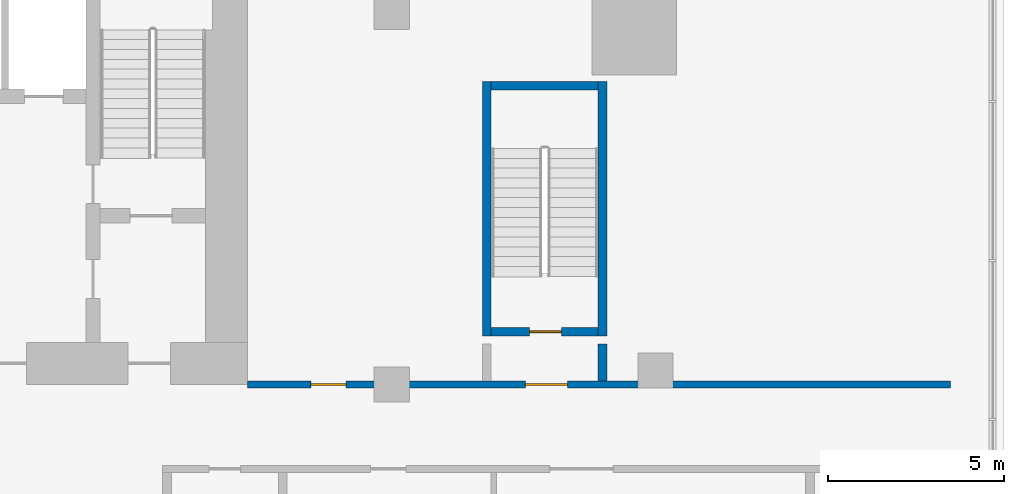
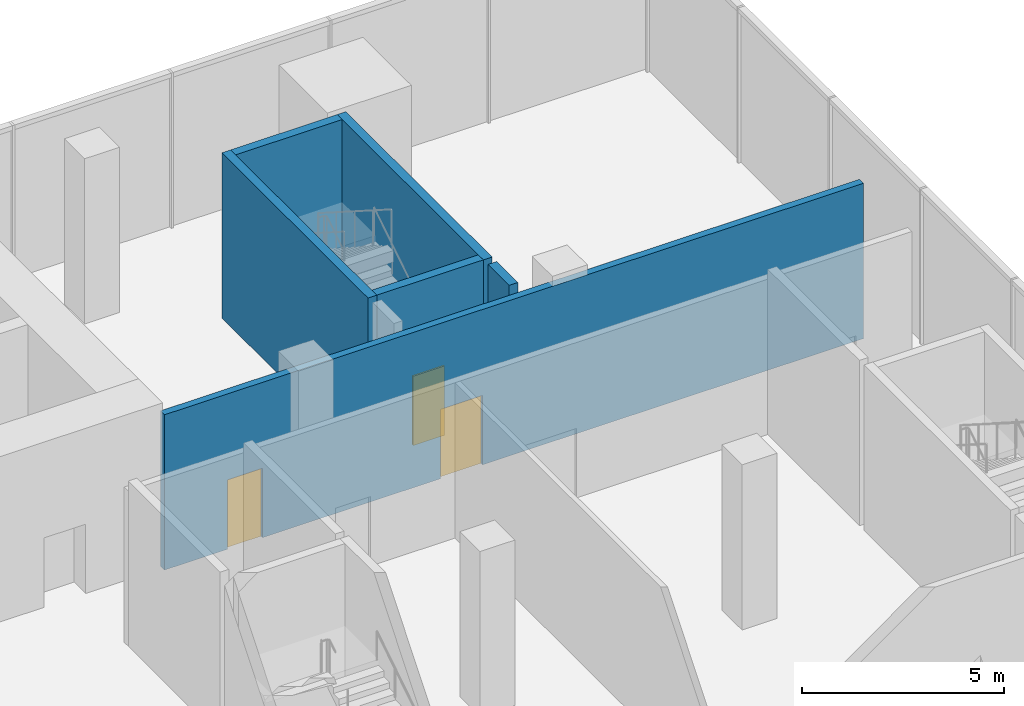
# One storey, part 17 of 22: 6 walls, 3 doors, 3 openings.
"""IFC4 building model written with IfcOpenShell, lengths in metres."""

from ifc_helpers import new_model, si_unit, direction, frame, frame_2d, origin, place, context, subcontext, project, spatial, rectangle, extrude, material, layer, layer_set, type_object, element, fill, save


model = new_model("IFC4")

# Units and contexts
model_context = context("Model", 3, precision=1e-05, world=origin(), true_north=direction((0.0, 1.0)))
body_context = subcontext(model_context, "Body", "Model", "MODEL_VIEW")
ifc_project = project(units=[si_unit("LENGTHUNIT", "METRE"), si_unit("AREAUNIT", "SQUARE_METRE"), si_unit("VOLUMEUNIT", "CUBIC_METRE"), si_unit("PLANEANGLEUNIT", "RADIAN"), si_unit("MASSUNIT", "GRAM", prefix="KILO")], contexts=[model_context])

# Site, building, storey
site_placement = place(None, origin())
site = spatial("IfcSite", under=ifc_project, at=site_placement, CompositionType="ELEMENT")
building_placement = place(site_placement, origin())
building = spatial("IfcBuilding", under=site, at=building_placement, Name="Bicima Exchange Tower", CompositionType="ELEMENT")
storey_placement = place(building_placement, frame((0.0, 0.0, 20.0)))
storey = spatial("IfcBuildingStorey", under=building, at=storey_placement, Name="L03", CompositionType="ELEMENT", Elevation=20.0)

# Wall, openings, doors
ifc_material_1 = material(Name="Gypsum board partition")
ifc_layer_1 = layer(ifc_material_1, 0.199951171875)
ifc_layer_set_1 = layer_set([ifc_layer_1], Name="Gypsum board partition")
wall_type_1 = type_object("IfcWallType", Name="Fire-rated gypsum partition 200 EI60", PredefinedType="PARTITIONING", material=ifc_layer_set_1)
wall_1_placement = place(storey_placement, frame((22.0, -13.0, 0.0), z_axis=(0.0, 0.0, 1.0), x_axis=(1.0, 0.0, 0.0)))
wall_1 = element("IfcWall", 1, at=wall_1_placement, inside=storey, type_object=wall_type_1, Name="partition wall 24", PredefinedType="PARTITIONING", context=body_context, shape_type="SweptSolid", body=[
    extrude(rectangle(XDim=20.0, YDim=0.199951171875, at=frame_2d((10.0, 0.0))), origin(), (0.0, 0.0, 1.0), 4.699951171875),
])
opening_1_placement = place(wall_1_placement, frame((7.89990234375, 0.0, 0.0)))
opening_1 = element("IfcOpeningElement", 2, at=opening_1_placement, cuts=wall_1, Name="Opening L03-011", PredefinedType="OPENING", context=body_context, shape_type="SweptSolid", body=[
    extrude(rectangle(XDim=1.199951171875, YDim=2.10009765625, at=frame_2d((0.60009765625, 1.050048828125))), frame((0.0, 0.11181640625, 0.0), z_axis=(0.0, -1.0, 0.0), x_axis=(1.0, 0.0, 0.0)), (0.0, 0.0, 1.0), 0.223876953125),
])
opening_2_placement = place(wall_1_placement, frame((1.800048828125, 0.0, 0.0)))
opening_2 = element("IfcOpeningElement", 3, at=opening_2_placement, cuts=wall_1, Name="Opening L03-014", PredefinedType="OPENING", context=body_context, shape_type="SweptSolid", body=[
    extrude(rectangle(XDim=1.0, YDim=2.10009765625, at=frame_2d((0.5, 1.050048828125))), frame((0.0, 0.11181640625, 0.0), z_axis=(0.0, -1.0, 0.0), x_axis=(1.0, 0.0, 0.0)), (0.0, 0.0, 1.0), 0.223876953125),
])
ifc_material_2 = material(Name="Steel fire door leaf", Category="steel")
door_type_1 = type_object("IfcDoorType", Name="Door 1000 swing FD30S", OperationType="SINGLE_SWING_LEFT", PredefinedType="DOOR", material=ifc_material_2)
door_1_placement = place(opening_2_placement, origin())
door_1 = element("IfcDoor", 4, at=door_1_placement, inside=storey, type_object=door_type_1, Name="Door", OperationType="SINGLE_SWING_LEFT", OverallHeight=2.10009765625, OverallWidth=1.0, PredefinedType="DOOR", context=body_context, shape_type="SweptSolid", body=[
    extrude(rectangle(XDim=1.0, YDim=2.10009765625, at=frame_2d((0.5, 1.050048828125))), frame((0.0, 0.02490234375, 0.0), z_axis=(0.0, -1.0, 0.0), x_axis=(1.0, 0.0, 0.0)), (0.0, 0.0, 1.0), 0.050048828125),
])
fill(opening_2, door_1)
door_type_2 = type_object("IfcDoorType", Name="Door 1200 swing FD30S", OperationType="SINGLE_SWING_LEFT", PredefinedType="DOOR", material=ifc_material_2)
door_2_placement = place(opening_1_placement, origin())
door_2 = element("IfcDoor", 5, at=door_2_placement, inside=storey, type_object=door_type_2, Name="Door", OperationType="SINGLE_SWING_LEFT", OverallHeight=2.10009765625, OverallWidth=1.199951171875, PredefinedType="DOOR", context=body_context, shape_type="SweptSolid", body=[
    extrude(rectangle(XDim=1.199951171875, YDim=2.10009765625, at=frame_2d((0.60009765625, 1.050048828125))), frame((0.0, 0.02490234375, 0.0), z_axis=(0.0, -1.0, 0.0), x_axis=(1.0, 0.0, 0.0)), (0.0, 0.0, 1.0), 0.050048828125),
])
fill(opening_1, door_2)

# Walls
ifc_material_3 = material(Name="Concrete C50/60", Category="concrete")
ifc_layer_2 = layer(ifc_material_3, 0.25)
ifc_layer_set_2 = layer_set([ifc_layer_2], Name="Concrete C50/60")
wall_type_2 = type_object("IfcWallType", Name="RC core wall 250 C50/60", PredefinedType="SHEAR", material=ifc_layer_set_2)
wall_2_placement = place(storey_placement, frame((32.10009765625, -12.89990234375, 0.0), z_axis=(0.0, 0.0, 1.0), x_axis=(0.0, 1.0, 0.0)))
element("IfcWall", 6, at=wall_2_placement, inside=storey, type_object=wall_type_2, Name="stair wall 60", PredefinedType="SHEAR", context=body_context, shape_type="SweptSolid", body=[
    extrude(rectangle(XDim=1.0498046875, YDim=0.25, at=frame_2d((0.52490234375, 0.0))), origin(), (0.0, 0.0, 1.0), 5.0),
])
ifc_layer_3 = layer(ifc_material_3, 0.25)
ifc_layer_set_3 = layer_set([ifc_layer_3], Name="Concrete C50/60")
wall_type_3 = type_object("IfcWallType", Name="RC stair enclosure wall 250 C50/60", PredefinedType="SHEAR", material=ifc_layer_set_3)
for number, where, z_axis, x_axis, name in (
    (7, (28.800048828125, -11.625, 0.0), (0.0, 0.0, 1.0), (0.0, 1.0, 0.0), "East end exit stair wall W"),
    (8, (32.10009765625, -11.625, 0.0), (0.0, 0.0, 1.0), (0.0, 1.0, 0.0), "East end exit stair wall E"),
):
    element("IfcWall", number, at=place(storey_placement, frame(where, z_axis=z_axis, x_axis=x_axis)), inside=storey, type_object=wall_type_3, Name=name, PredefinedType="SHEAR", context=body_context, shape_type="SweptSolid", body=[
        extrude(rectangle(XDim=7.25, YDim=0.25, at=frame_2d((3.625, 0.0))), origin(), (0.0, 0.0, 1.0), 5.0),
    ])

# Wall, opening, door
wall_3_placement = place(storey_placement, frame((28.925048828125, -11.5, 0.0), z_axis=(0.0, 0.0, 1.0), x_axis=(1.0, 0.0, 0.0)))
wall_3 = element("IfcWall", 9, at=wall_3_placement, inside=storey, type_object=wall_type_3, Name="East end exit stair wall S", PredefinedType="SHEAR", context=body_context, shape_type="SweptSolid", body=[
    extrude(rectangle(XDim=3.050048828125, YDim=0.25, at=frame_2d((1.52490234375, 0.0))), origin(), (0.0, 0.0, 1.0), 5.0),
])
opening_3_placement = place(wall_3_placement, frame((1.10009765625, 0.0, 0.0)))
opening_3 = element("IfcOpeningElement", 10, at=opening_3_placement, cuts=wall_3, Name="Opening L03-012", PredefinedType="OPENING", context=body_context, shape_type="SweptSolid", body=[
    extrude(rectangle(XDim=0.89990234375, YDim=2.10009765625, at=frame_2d((0.449951171875, 1.050048828125))), frame((0.0, 0.136962890625, 0.0), z_axis=(0.0, -1.0, 0.0), x_axis=(1.0, 0.0, 0.0)), (0.0, 0.0, 1.0), 0.27392578125),
])
door_type_3 = type_object("IfcDoorType", Name="Door 900 swing FD60S", OperationType="SINGLE_SWING_LEFT", PredefinedType="DOOR", material=ifc_material_2)
door_3_placement = place(opening_3_placement, origin())
door_3 = element("IfcDoor", 11, at=door_3_placement, inside=storey, type_object=door_type_3, Name="Door", OperationType="SINGLE_SWING_RIGHT", OverallHeight=2.10009765625, OverallWidth=0.89990234375, PredefinedType="DOOR", context=body_context, shape_type="SweptSolid", body=[
    extrude(rectangle(XDim=0.89990234375, YDim=2.10009765625, at=frame_2d((0.449951171875, 1.050048828125))), frame((0.0, 0.02490234375, 0.0), z_axis=(0.0, -1.0, 0.0), x_axis=(1.0, 0.0, 0.0)), (0.0, 0.0, 1.0), 0.050048828125),
])
fill(opening_3, door_3)

# Wall
wall_4_placement = place(storey_placement, frame((28.925048828125, -4.5, 0.0), z_axis=(0.0, 0.0, 1.0), x_axis=(1.0, 0.0, 0.0)))
element("IfcWall", 12, at=wall_4_placement, inside=storey, type_object=wall_type_3, Name="East end exit stair wall N", PredefinedType="SHEAR", context=body_context, shape_type="SweptSolid", body=[
    extrude(rectangle(XDim=3.050048828125, YDim=0.25, at=frame_2d((1.52490234375, 0.0))), origin(), (0.0, 0.0, 1.0), 5.0),
])

save(model, "model.ifc")
